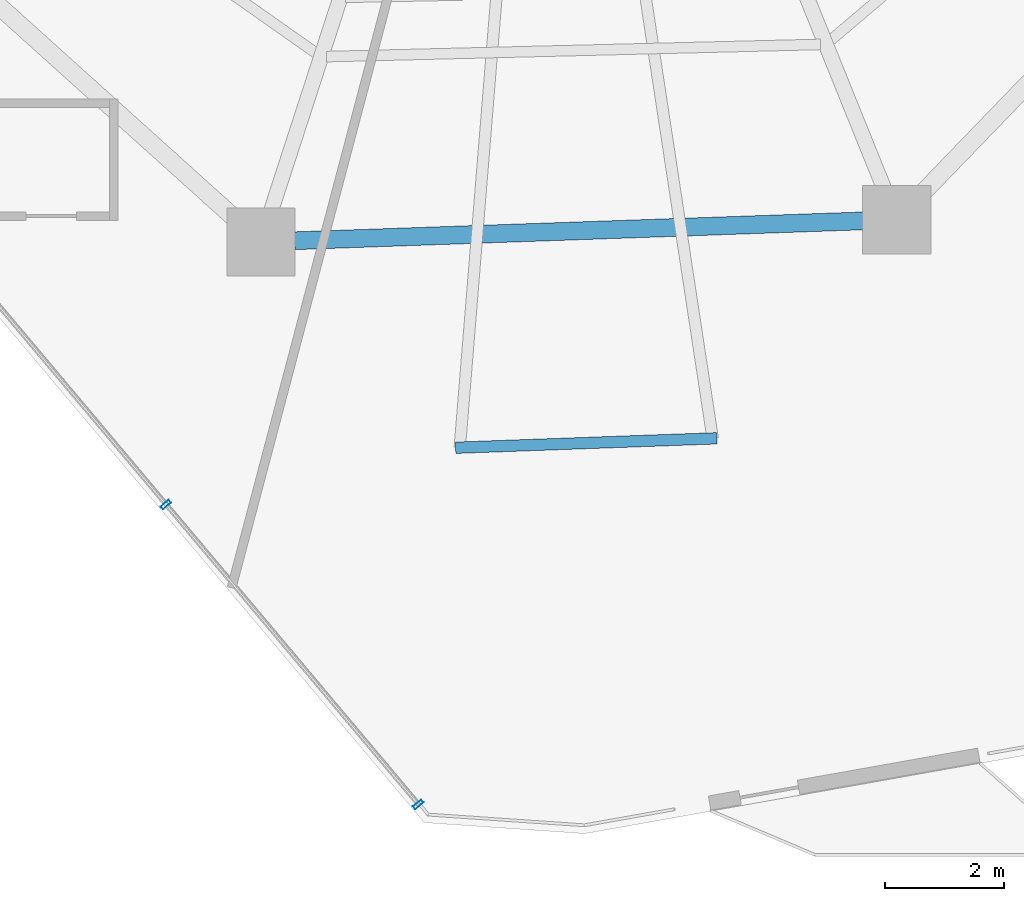
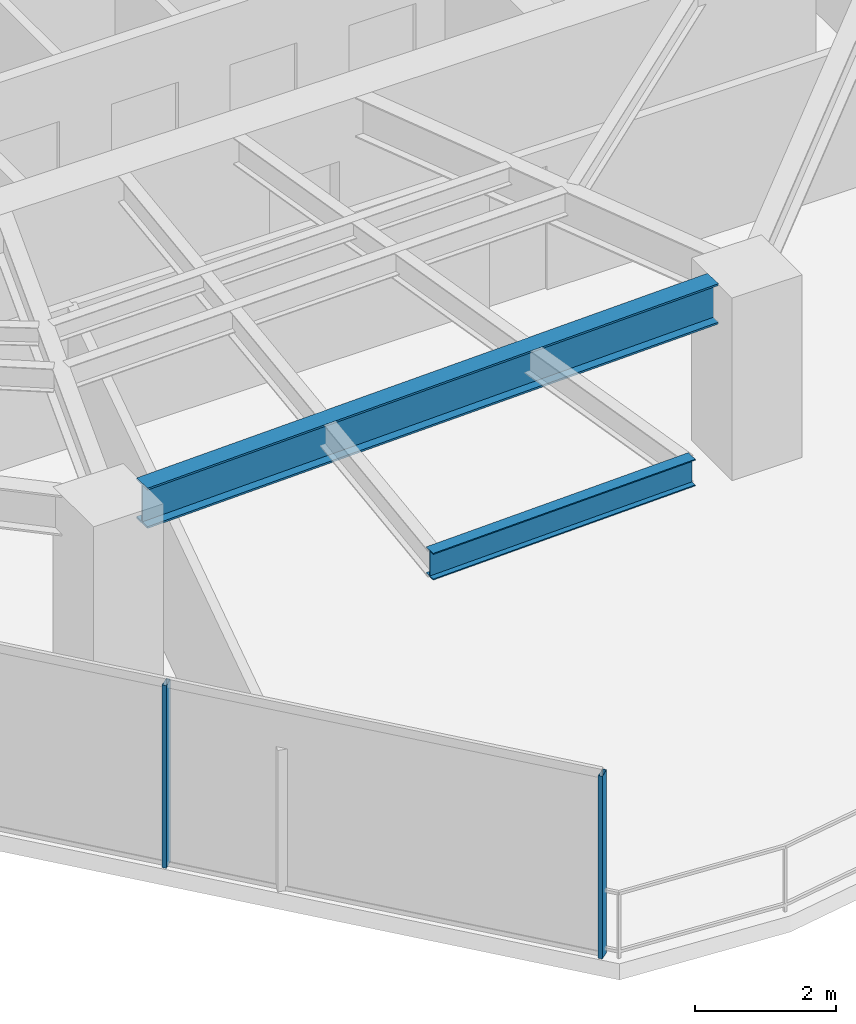
# One storey, part 5 of 27: 2 beams, 2 members, 1 element without a shape of its own.
"""IFC4 building model written with IfcOpenShell, lengths in metres."""

from ifc_helpers import new_model, si_unit, direction, frame, origin, origin_2d, place, context, subcontext, project, spatial, hollow_rectangle, i_section, extrude, material, layer, layer_set, material_profile, profile_set, type_object, element, aggregate, save


model = new_model("IFC4")

# Units and contexts
model_context = context("Model", 3, precision=1e-05, world=origin(), true_north=direction((0.0, 1.0)))
body_context = subcontext(model_context, "Body", "Model", "MODEL_VIEW")
ifc_project = project(units=[si_unit("LENGTHUNIT", "METRE"), si_unit("AREAUNIT", "SQUARE_METRE"), si_unit("VOLUMEUNIT", "CUBIC_METRE"), si_unit("PLANEANGLEUNIT", "RADIAN"), si_unit("MASSUNIT", "GRAM", prefix="KILO")], contexts=[model_context])

# Site, building, storey
site_placement = place(None, origin())
site = spatial("IfcSite", under=ifc_project, at=site_placement, CompositionType="ELEMENT")
building_placement = place(site_placement, origin())
building = spatial("IfcBuilding", under=site, at=building_placement, Name="Qarnah Convention Tower", CompositionType="ELEMENT")
storey_placement = place(building_placement, frame((0.0, 0.0, 103.949951171875)))
storey = spatial("IfcBuildingStorey", under=building, at=storey_placement, Name="L27", CompositionType="ELEMENT", Elevation=103.949951171875)

# Beams
ifc_material_1 = material(Name="Structural steel S355JR", Category="steel")
ifc_material_profile_1 = material_profile(ifc_material_1, i_section(OverallWidth=0.19189453125, OverallDepth=0.464111328125, WebThickness=0.010986328125, FlangeThickness=0.01806640625, at=origin_2d()), Name="W460X89")
ifc_profile_set_1 = profile_set([ifc_material_profile_1], Name="Structural steel S355JR")
beam_type_1 = type_object("IfcBeamType", Name="BM-CANT-W460A", PredefinedType="BEAM", material=ifc_profile_set_1)
beam_1_placement = place(storey_placement, frame((40.035888671875, 8.2109375, 2.93798828125), z_axis=(-0.999347061952, -0.036131008404, 0.0), x_axis=(0.036131008404, -0.999347061952, 0.0)))
element("IfcBeam", 1, at=beam_1_placement, inside=storey, type_object=beam_type_1, Name="L27 spandrel BM-L27-CTIE-03", PredefinedType="SPANDREL", context=body_context, shape_type="SweptSolid", body=[
    extrude(i_section(OverallWidth=0.19189453125, OverallDepth=0.464111328125, WebThickness=0.010986328125, FlangeThickness=0.01806640625, at=origin_2d()), origin(), (0.0, 0.0, 1.0), 4.39892578125),
])
ifc_material_profile_2 = material_profile(ifc_material_1, i_section(OverallWidth=0.300048828125, OverallDepth=0.699951171875, WebThickness=0.01708984375, FlangeThickness=0.031982421875, at=origin_2d()), Name="HEB700")
ifc_profile_set_2 = profile_set([ifc_material_profile_2], Name="Structural steel S355JR")
beam_type_2 = type_object("IfcBeamType", Name="BM-RING-HEB700", PredefinedType="BEAM", material=ifc_profile_set_2)
beam_2_placement = place(storey_placement, frame((32.928955078125, 11.535888671875, 2.820068359375), z_axis=(0.999390577592, 0.03490663862, 0.0), x_axis=(-0.03490663862, 0.999390577592, 0.0)))
element("IfcBeam", 2, at=beam_2_placement, inside=storey, type_object=beam_type_2, Name="L27 beam BM-L27-SPN-07", PredefinedType="BEAM", context=body_context, shape_type="SweptSolid", body=[
    extrude(i_section(OverallWidth=0.300048828125, OverallDepth=0.699951171875, WebThickness=0.01708984375, FlangeThickness=0.031982421875, at=origin_2d()), origin(), (0.0, 0.0, 1.0), 9.574951171875),
])

# Curtain wall, members
ifc_material_2 = material(Name="Tempered Low-E dark glass", Category="glass")
ifc_layer = layer(ifc_material_2, 0.169921875)
ifc_layer_set = layer_set([ifc_layer], Name="Tempered Low-E dark glass")
curtain_wall_type = type_object("IfcCurtainWallType", Name="CWS-02", PredefinedType="NOTDEFINED", material=ifc_layer_set)
curtain_wall_placement = place(storey_placement, origin())
curtain_wall = element("IfcCurtainWall", 3, at=curtain_wall_placement, inside=storey, type_object=curtain_wall_type, Name="L27 unitised curtain wall CW-L27-F1", PredefinedType="NOTDEFINED")
ifc_material_3 = material(Name="Black anodised aluminium", Category="aluminium")
ifc_material_profile_3 = material_profile(ifc_material_3, hollow_rectangle(XDim=0.06494140625, YDim=0.179931640625, WallThickness=0.00390625, at=origin_2d()), Name="MUL-65X180")
ifc_profile_set_3 = profile_set([ifc_material_profile_3], Name="Black anodised aluminium")
member_type = type_object("IfcMemberType", Name="MUL-T2", PredefinedType="MULLION", material=ifc_profile_set_3)
member_1_placement = place(storey_placement, frame((35.010986328125, 2.049072265625, 0.0), z_axis=(0.0, 0.0, 1.0), x_axis=(-0.643878016017, 0.76512815952, 0.0)))
member_1 = element("IfcMember", 4, at=member_1_placement, type_object=member_type, Name="CW-L27-F1 mullion 1", PredefinedType="MULLION", context=body_context, shape_type="SweptSolid", body=[
    extrude(hollow_rectangle(XDim=0.06494140625, YDim=0.179931640625, WallThickness=0.00390625, at=origin_2d()), origin(), (0.0, 0.0, 1.0), 3.170166015625),
])
member_2_placement = place(storey_placement, frame((30.763916015625, 7.095947265625, 0.0), z_axis=(0.0, 0.0, 1.0), x_axis=(-0.643878016017, 0.76512815952, 0.0)))
member_2 = element("IfcMember", 5, at=member_2_placement, type_object=member_type, Name="CW-L27-F1 mullion 2", PredefinedType="MULLION", context=body_context, shape_type="SweptSolid", body=[
    extrude(hollow_rectangle(XDim=0.06494140625, YDim=0.179931640625, WallThickness=0.00390625, at=origin_2d()), origin(), (0.0, 0.0, 1.0), 3.170166015625),
])
aggregate(curtain_wall, [member_1, member_2])

save(model, "model.ifc")
